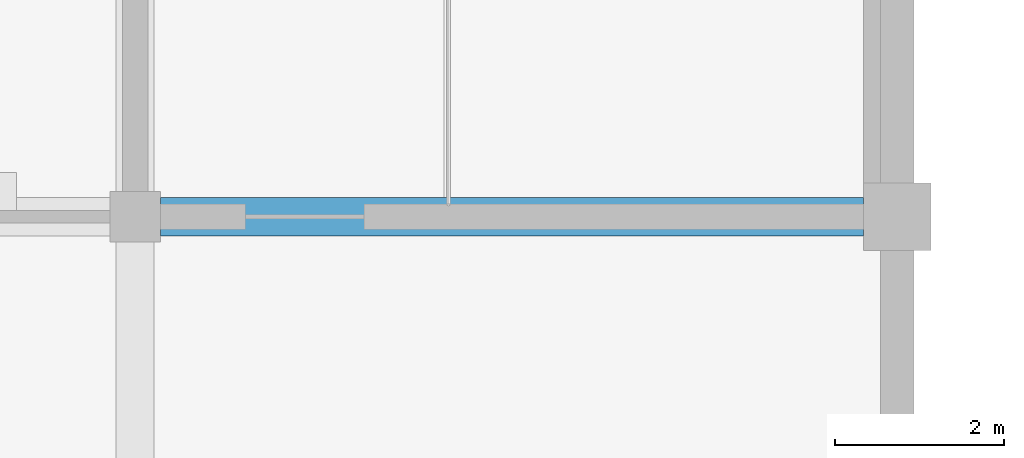
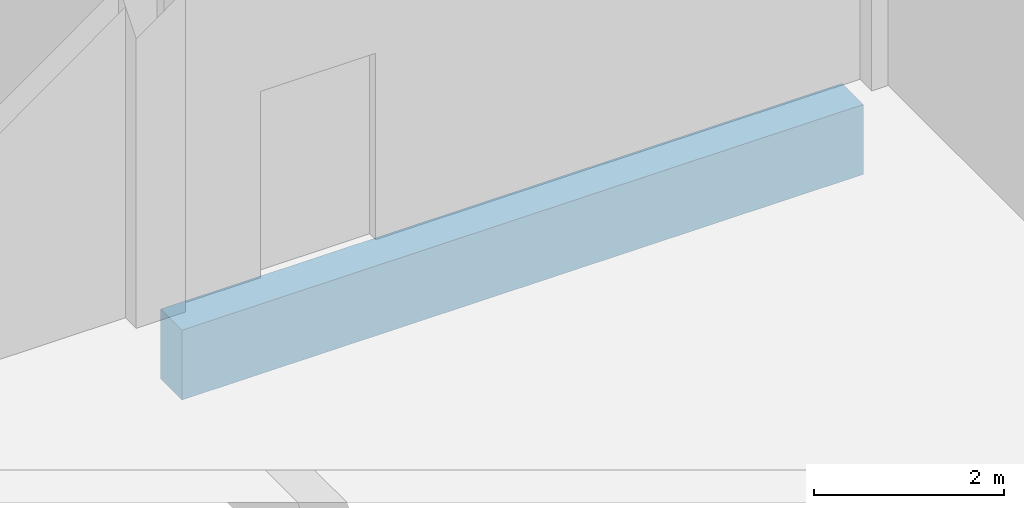
# One storey, part 38 of 185: 1 beam.
"""IFC4 building model written with IfcOpenShell, lengths in metres."""

from ifc_helpers import new_model, si_unit, direction, frame, origin, origin_2d, place, context, subcontext, project, spatial, rectangle, extrude, material, material_profile, profile_set, type_object, element, save


model = new_model("IFC4")

# Units and contexts
model_context = context("Model", 3, precision=1e-05, world=origin(), true_north=direction((0.0, 1.0)))
body_context = subcontext(model_context, "Body", "Model", "MODEL_VIEW")
ifc_project = project(units=[si_unit("LENGTHUNIT", "METRE"), si_unit("AREAUNIT", "SQUARE_METRE"), si_unit("VOLUMEUNIT", "CUBIC_METRE"), si_unit("PLANEANGLEUNIT", "RADIAN"), si_unit("MASSUNIT", "GRAM", prefix="KILO")], contexts=[model_context])

# Site, building, storey
site_placement = place(None, origin())
site = spatial("IfcSite", under=ifc_project, at=site_placement, CompositionType="ELEMENT")
building_placement = place(site_placement, origin())
building = spatial("IfcBuilding", under=site, at=building_placement, Name="Opaline Strait Convention Centre", CompositionType="ELEMENT")
storey_placement = place(building_placement, frame((0.0, 0.0, 6.0)))
storey = spatial("IfcBuildingStorey", under=building, at=storey_placement, Name="L01", CompositionType="ELEMENT", Elevation=6.0)

# Beam
ifc_material = material(Name="Concrete C35", Category="concrete")
ifc_material_profile = material_profile(ifc_material, rectangle(XDim=0.449951171875, YDim=0.89990234375, at=origin_2d()), Name="RC 450x900")
ifc_profile_set = profile_set([ifc_material_profile], Name="Concrete C35")
beam_type = type_object("IfcBeamType", Name="RC floor beam 450x900 C35", PredefinedType="BEAM", material=ifc_profile_set)
beam_placement = place(storey_placement, frame((63.300048828125, 171.0, -0.72998046875), z_axis=(1.0, 0.0, 0.0), x_axis=(0.0, 1.0, 0.0)))
element("IfcBeam", 1, at=beam_placement, inside=storey, type_object=beam_type, Name="PFB1 L01 beam 8/V-9/V", PredefinedType="BEAM", context=body_context, shape_type="SweptSolid", body=[
    extrude(rectangle(XDim=0.449951171875, YDim=0.89990234375, at=origin_2d()), origin(), (0.0, 0.0, 1.0), 8.300048828125),
])

save(model, "model.ifc")
